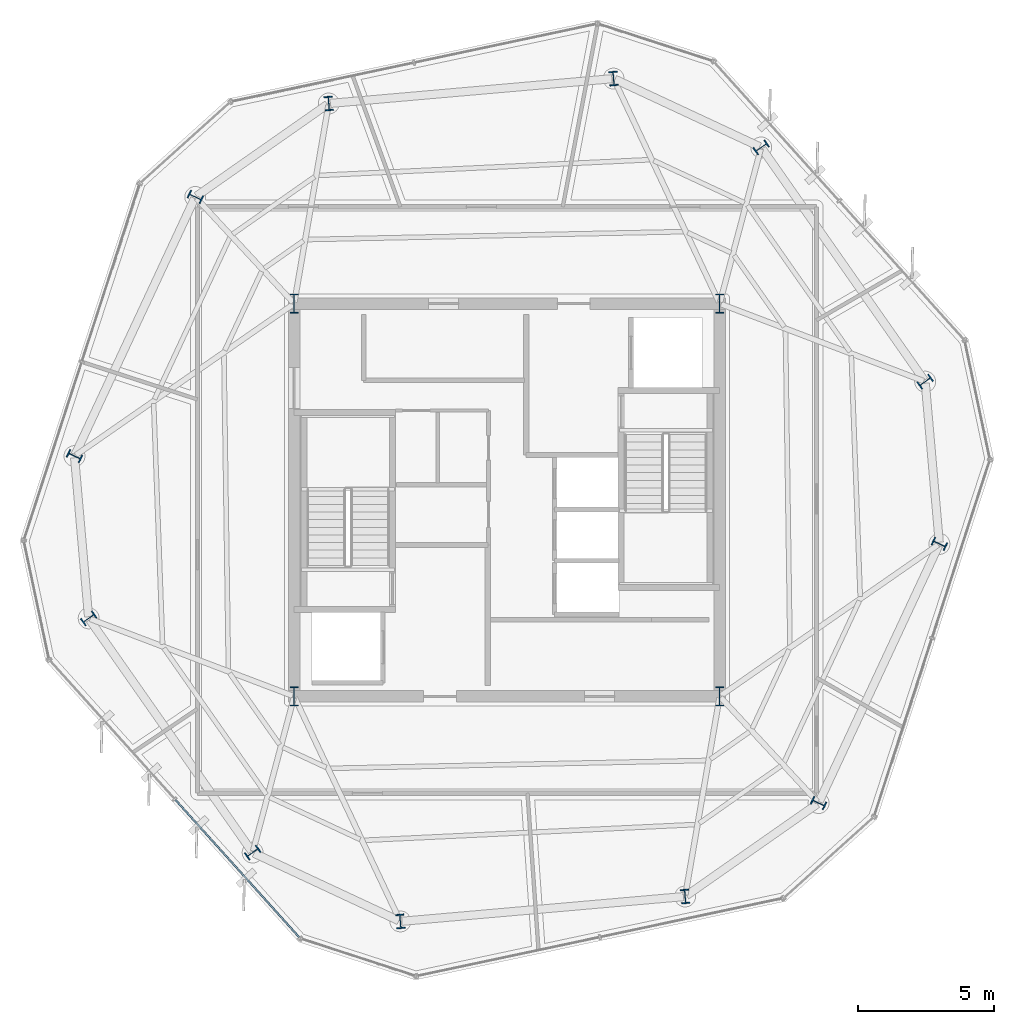
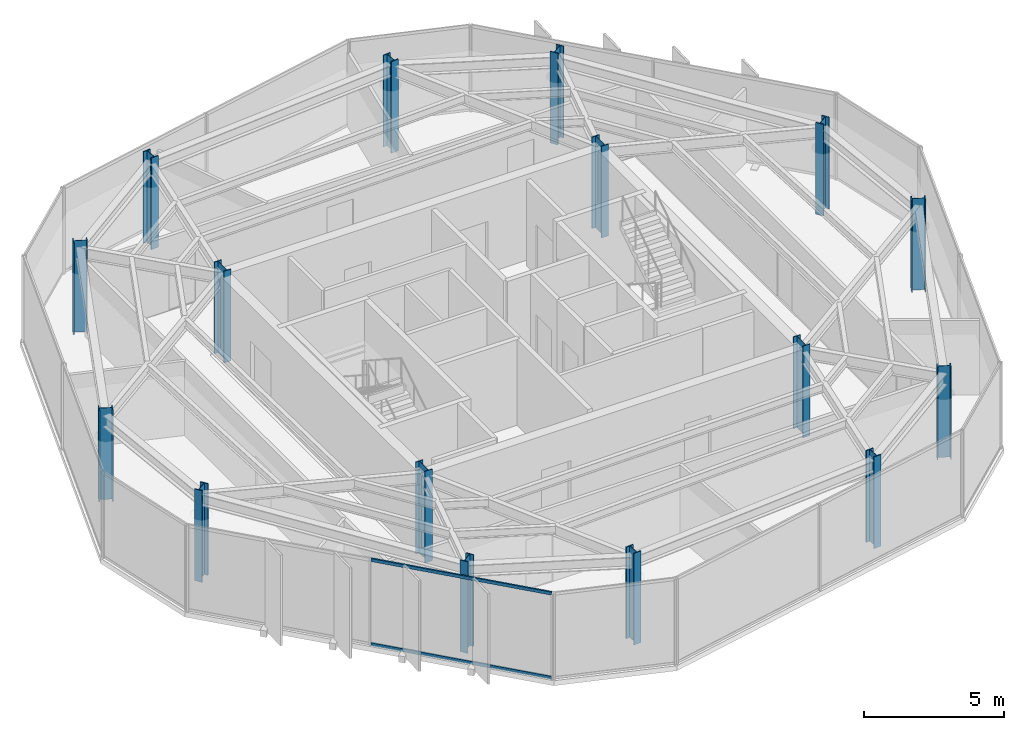
# One storey, part 1 of 13: 16 columns, 2 members, 1 element without a shape of its own.
"""IFC4 building model written with IfcOpenShell, lengths in metres."""

from ifc_helpers import new_model, si_unit, direction, frame, origin, origin_2d, place, context, subcontext, project, spatial, rectangle, i_section, extrude, material, layer, layer_set, material_profile, profile_set, type_object, element, aggregate, save


model = new_model("IFC4")

# Units and contexts
model_context = context("Model", 3, precision=1e-05, world=origin(), true_north=direction((0.0, 1.0)))
body_context = subcontext(model_context, "Body", "Model", "MODEL_VIEW")
ifc_project = project(units=[si_unit("LENGTHUNIT", "METRE"), si_unit("AREAUNIT", "SQUARE_METRE"), si_unit("VOLUMEUNIT", "CUBIC_METRE"), si_unit("PLANEANGLEUNIT", "RADIAN"), si_unit("MASSUNIT", "GRAM", prefix="KILO")], contexts=[model_context])

# Site, building, storey
site_placement = place(None, origin())
site = spatial("IfcSite", under=ifc_project, at=site_placement, CompositionType="ELEMENT")
building_placement = place(site_placement, origin())
building = spatial("IfcBuilding", under=site, at=building_placement, Name="Kranzbogen Civic Tower", CompositionType="ELEMENT")
storey_placement = place(building_placement, frame((0.0, 0.0, 314.199951171875)))
storey = spatial("IfcBuildingStorey", under=building, at=storey_placement, Name="L76", CompositionType="ELEMENT", Elevation=314.199951171875)

# Columns
ifc_material_1 = material(Name="Steel S355", Category="steel")
ifc_material_profile_1 = material_profile(ifc_material_1, i_section(OverallWidth=0.300048828125, OverallDepth=0.699951171875, WebThickness=0.01708984375, FlangeThickness=0.031982421875, at=origin_2d()), Name="HEB 700")
ifc_profile_set_1 = profile_set([ifc_material_profile_1], Name="Steel S355")
column_type_1 = type_object("IfcColumnType", Name="Structural Column HEB 700", PredefinedType="COLUMN", material=ifc_profile_set_1)
for number, where, z_axis, x_axis, name in (
    (1, (17.199951171875, 17.800048828125, 0.0), (0.0, 0.0, 1.0), (1.0, 0.0, 0.0), "L76 composite core corner column 1"),
    (2, (32.800048828125, 17.800048828125, 0.0), (0.0, 0.0, 1.0), (1.0, 0.0, 0.0), "L76 composite core corner column 2"),
    (3, (32.800048828125, 32.199951171875, 0.0), (0.0, 0.0, 1.0), (1.0, 0.0, 0.0), "L76 composite core corner column 3"),
    (4, (17.199951171875, 32.199951171875, 0.0), (0.0, 0.0, 1.0), (1.0, 0.0, 0.0), "L76 composite core corner column 4"),
):
    element("IfcColumn", number, at=place(storey_placement, frame(where, z_axis=z_axis, x_axis=x_axis)), inside=storey, type_object=column_type_1, Name=name, PredefinedType="COLUMN", context=body_context, shape_type="SweptSolid", body=[
        extrude(i_section(OverallWidth=0.300048828125, OverallDepth=0.699951171875, WebThickness=0.01708984375, FlangeThickness=0.031982421875, at=origin_2d()), origin(), (0.0, 0.0, 1.0), 4.0),
    ])
ifc_material_profile_2 = material_profile(ifc_material_1, i_section(OverallWidth=0.305908203125, OverallDepth=0.52392578125, WebThickness=0.02099609375, FlangeThickness=0.0400390625, at=origin_2d()), Name="HEM 500")
ifc_profile_set_2 = profile_set([ifc_material_profile_2], Name="Steel S355")
column_type_2 = type_object("IfcColumnType", Name="Structural Column HEM 500", PredefinedType="COLUMN", material=ifc_profile_set_2)
for number, where, z_axis, x_axis, name in (
    (5, (28.908935546875, 40.449951171875, 0.0), (0.0, 0.0, 1.0), (0.996194698092, 0.087155742748, 0.0), "L76 tower perimeter tube column 01"),
    (6, (18.467041015625, 39.535888671875, 0.0), (0.0, 0.0, 1.0), (0.996194698092, 0.087155742748, 0.0), "L76 tower perimeter tube column 02"),
    (7, (13.574951171875, 36.110107421875, 0.0), (0.0, 0.0, 1.0), (0.422618261741, 0.906307787037, 0.0), "L76 tower perimeter tube column 03"),
    (8, (9.14501953125, 26.610107421875, 0.0), (0.0, 0.0, 1.0), (0.422618261741, 0.906307787037, 0.0), "L76 tower perimeter tube column 04"),
    (9, (9.666015625, 20.660888671875, 0.0), (0.0, 0.0, 1.0), (-0.573576436351, 0.819152044289, 0.0), "L76 tower perimeter tube column 05"),
    (10, (15.677978515625, 12.073974609375, 0.0), (0.0, 0.0, 1.0), (-0.573576436351, 0.819152044289, 0.0), "L76 tower perimeter tube column 06"),
    (11, (21.091064453125, 9.550048828125, 0.0), (0.0, 0.0, 1.0), (0.996194698092, 0.087155742748, 0.0), "L76 tower perimeter tube column 07"),
    (12, (31.532958984375, 10.464111328125, 0.0), (0.0, 0.0, 1.0), (0.996194698092, 0.087155742748, 0.0), "L76 tower perimeter tube column 08"),
    (13, (36.425048828125, 13.889892578125, 0.0), (0.0, 0.0, 1.0), (0.422618261741, 0.906307787037, 0.0), "L76 tower perimeter tube column 09"),
    (14, (40.85498046875, 23.389892578125, 0.0), (0.0, 0.0, 1.0), (0.422618261741, 0.906307787037, 0.0), "L76 tower perimeter tube column 10"),
    (15, (40.333984375, 29.339111328125, 0.0), (0.0, 0.0, 1.0), (-0.573576436351, 0.819152044289, 0.0), "L76 tower perimeter tube column 11"),
    (16, (34.322021484375, 37.926025390625, 0.0), (0.0, 0.0, 1.0), (-0.573576436351, 0.819152044289, 0.0), "L76 tower perimeter tube column 12"),
):
    element("IfcColumn", number, at=place(storey_placement, frame(where, z_axis=z_axis, x_axis=x_axis)), inside=storey, type_object=column_type_2, Name=name, PredefinedType="COLUMN", context=body_context, shape_type="SweptSolid", body=[
        extrude(i_section(OverallWidth=0.305908203125, OverallDepth=0.52392578125, WebThickness=0.02099609375, FlangeThickness=0.0400390625, at=origin_2d()), origin(), (0.0, 0.0, 1.0), 4.0),
    ])

# Curtain wall, members
ifc_material_2 = material(Name="Pale Anodised Aluminium", Category="aluminium")
ifc_layer = layer(ifc_material_2, 0.219970703125, Name="Pale Anodised Aluminium")
ifc_layer_set = layer_set([ifc_layer], Name="Pale Anodised Aluminium")
curtain_wall_type = type_object("IfcCurtainWallType", Name="Zone 4 Stick Curtain Wall System CW-05", PredefinedType="USERDEFINED", material=ifc_layer_set)
curtain_wall_placement = place(storey_placement, origin())
curtain_wall = element("IfcCurtainWall", 17, at=curtain_wall_placement, inside=storey, type_object=curtain_wall_type, Name="L76 curtain wall CW-L76-F3", ObjectType="STICK CURTAIN WALL", PredefinedType="USERDEFINED")
ifc_material_profile_3 = material_profile(ifc_material_2, rectangle(XDim=0.06494140625, YDim=0.135009765625, at=origin_2d()), Name="ALU-T 65x135")
ifc_profile_set_3 = profile_set([ifc_material_profile_3], Name="Pale Anodised Aluminium")
member_type = type_object("IfcMemberType", Name="Curtain Wall Transom ALU-T 65x135", PredefinedType="USERDEFINED", material=ifc_profile_set_3)
member_1_placement = place(storey_placement, frame((12.842041015625, 14.0126953125, 0.030029296875), z_axis=(0.669177159139, -0.743102906526, 0.0), x_axis=(0.743102906526, 0.669177159139, 0.0)))
member_1 = element("IfcMember", 18, at=member_1_placement, type_object=member_type, Name="CW-05 transom 2.1", ObjectType="TRANSOM", PredefinedType="USERDEFINED", context=body_context, shape_type="SweptSolid", body=[
    extrude(rectangle(XDim=0.06494140625, YDim=0.135009765625, at=origin_2d()), origin(), (0.0, 0.0, 1.0), 6.793212890625),
])
member_2_placement = place(storey_placement, frame((12.842041015625, 14.0126953125, 3.7099609375), z_axis=(0.669177159139, -0.743102906526, 0.0), x_axis=(0.743102906526, 0.669177159139, 0.0)))
member_2 = element("IfcMember", 19, at=member_2_placement, type_object=member_type, Name="CW-05 transom 2.2", ObjectType="TRANSOM", PredefinedType="USERDEFINED", context=body_context, shape_type="SweptSolid", body=[
    extrude(rectangle(XDim=0.06494140625, YDim=0.135009765625, at=origin_2d()), origin(), (0.0, 0.0, 1.0), 6.793212890625),
])
aggregate(curtain_wall, [member_1, member_2])

save(model, "model.ifc")
